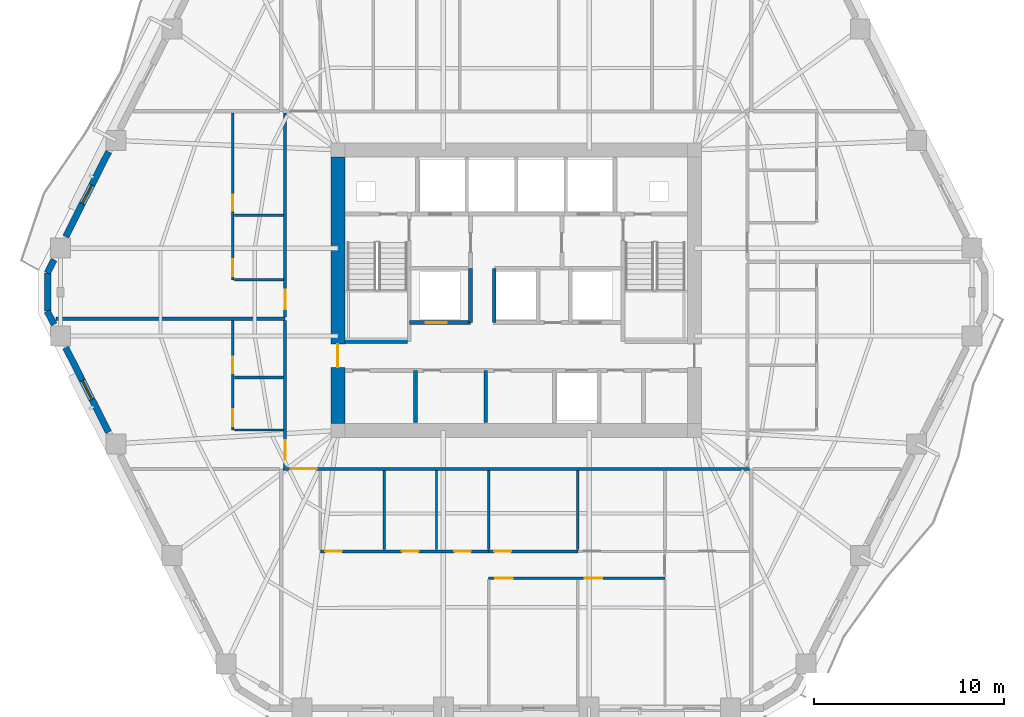
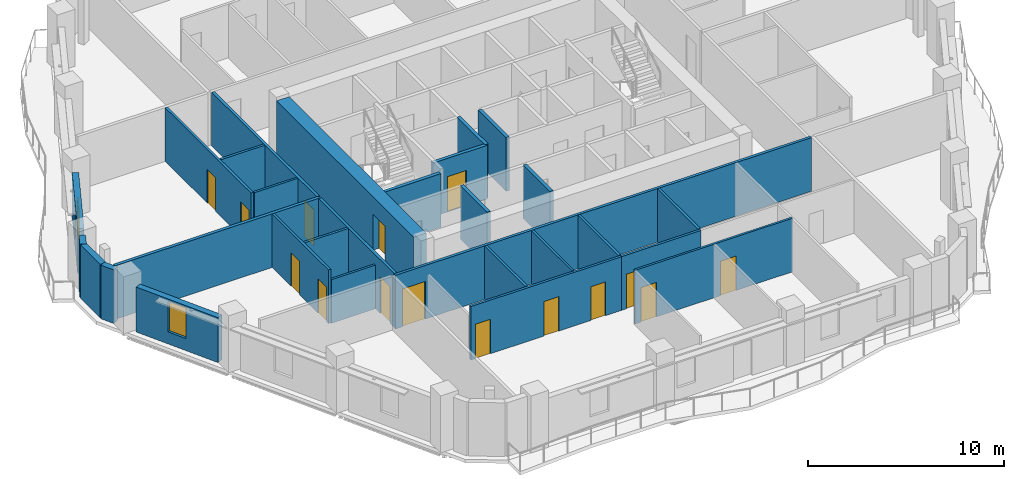
# One storey, part 4 of 12: 29 walls, 15 doors, 2 windows, 17 openings.
"""IFC4 building model written with IfcOpenShell, lengths in metres."""

from ifc_helpers import new_model, si_unit, direction, frame, frame_2d, origin, place, context, subcontext, project, spatial, rectangle, extrude, material, layer, layer_set, type_object, element, fill, save


model = new_model("IFC4")

# Units and contexts
model_context = context("Model", 3, precision=1e-05, world=origin(), true_north=direction((0.0, 1.0)))
body_context = subcontext(model_context, "Body", "Model", "MODEL_VIEW")
ifc_project = project(units=[si_unit("LENGTHUNIT", "METRE"), si_unit("AREAUNIT", "SQUARE_METRE"), si_unit("VOLUMEUNIT", "CUBIC_METRE"), si_unit("PLANEANGLEUNIT", "RADIAN"), si_unit("MASSUNIT", "GRAM", prefix="KILO")], contexts=[model_context])

# Site, building, storey
site_placement = place(None, origin())
site = spatial("IfcSite", under=ifc_project, at=site_placement, CompositionType="ELEMENT")
building_placement = place(site_placement, origin())
building = spatial("IfcBuilding", under=site, at=building_placement, Name="Cinnabar Lancet Tower", CompositionType="ELEMENT")
storey_placement = place(building_placement, frame((0.0, 0.0, 141.0)))
storey = spatial("IfcBuildingStorey", under=building, at=storey_placement, Name="L37", CompositionType="ELEMENT", Elevation=141.0)

# Wall, opening, door
ifc_material_1 = material(Name="Acoustic twin-stud gypsum partition", Category="gypsum")
ifc_layer_1 = layer(ifc_material_1, 0.159912109375)
ifc_layer_set_1 = layer_set([ifc_layer_1], Name="Acoustic twin-stud gypsum partition")
wall_type_1 = type_object("IfcWallType", Name="ARC-WL-CORR-160", PredefinedType="PARTITIONING", material=ifc_layer_set_1)
wall_1_placement = place(storey_placement, frame((20.14501953125, 16.5, 0.0), z_axis=(0.0, 0.0, 1.0), x_axis=(1.0, 0.0, 0.0)))
wall_1 = element("IfcWall", 1, at=wall_1_placement, inside=storey, type_object=wall_type_1, Name="L37 Unit S01 Corridor Wall", PredefinedType="PARTITIONING", context=body_context, shape_type="SweptSolid", body=[
    extrude(rectangle(XDim=24.510009765625, YDim=0.159912109375, at=frame_2d((12.2548828125, 0.0))), origin(), (0.0, 0.0, 1.0), 3.340087890625),
])
opening_1_placement = place(wall_1_placement, frame((0.405029296875, 0.0, 0.0)))
opening_1 = element("IfcOpeningElement", 2, at=opening_1_placement, cuts=wall_1, Name="Opening UD-02", PredefinedType="OPENING", context=body_context, shape_type="SweptSolid", body=[
    extrude(rectangle(XDim=1.35009765625, YDim=2.35009765625, at=frame_2d((0.675048828125, 1.175048828125))), frame((0.0, 0.08984375, 0.0), z_axis=(0.0, -1.0, 0.0), x_axis=(1.0, 0.0, 0.0)), (0.0, 0.0, 1.0), 0.179931640625),
])
ifc_material_2 = material(Name="Double-leaf solid timber penthouse entrance door", Category="wood")
door_type_1 = type_object("IfcDoorType", Name="ARC-DR-UNIT-PH", OperationType="NOTDEFINED", PredefinedType="DOOR", material=ifc_material_2)
door_1_placement = place(opening_1_placement, origin())
door_1 = element("IfcDoor", 3, at=door_1_placement, inside=storey, type_object=door_type_1, Name="DR-L37-S01-ENT", OperationType="SINGLE_SWING_RIGHT", OverallHeight=2.35009765625, OverallWidth=1.35009765625, PredefinedType="DOOR", context=body_context, shape_type="SweptSolid", body=[
    extrude(rectangle(XDim=1.35009765625, YDim=2.35009765625, at=frame_2d((0.675048828125, 1.175048828125))), frame((0.0, 0.02490234375, 0.0), z_axis=(0.0, -1.0, 0.0), x_axis=(1.0, 0.0, 0.0)), (0.0, 0.0, 1.0), 0.050048828125),
])
fill(opening_1, door_1)

wall_2_placement = place(storey_placement, frame((20.25, 16.594970703125, 0.0), z_axis=(0.0, 0.0, 1.0), x_axis=(0.0, 1.0, 0.0)))
wall_2 = element("IfcWall", 4, at=wall_2_placement, inside=storey, type_object=wall_type_1, Name="UW-L37-W01-COR", PredefinedType="PARTITIONING", context=body_context, shape_type="SweptSolid", body=[
    extrude(rectangle(XDim=7.7060546875, YDim=0.159912109375, at=frame_2d((3.85302734375, 0.0))), origin(), (0.0, 0.0, 1.0), 3.340087890625),
])
opening_2_placement = place(wall_2_placement, frame((0.39990234375, 0.0, 0.0)))
opening_2 = element("IfcOpeningElement", 5, at=opening_2_placement, cuts=wall_2, Name="Opening UD-01", PredefinedType="OPENING", context=body_context, shape_type="SweptSolid", body=[
    extrude(rectangle(XDim=1.02001953125, YDim=2.25, at=frame_2d((0.510009765625, 1.125))), frame((0.0, 0.08984375, 0.0), z_axis=(0.0, -1.0, 0.0), x_axis=(1.0, 0.0, 0.0)), (0.0, 0.0, 1.0), 0.179931640625),
])
ifc_material_3 = material(Name="Solid timber fire-rated apartment entrance door", Category="wood")
door_type_2 = type_object("IfcDoorType", Name="ARC-DR-UNIT", OperationType="NOTDEFINED", PredefinedType="DOOR", material=ifc_material_3)
door_2_placement = place(opening_2_placement, origin())
door_2 = element("IfcDoor", 6, at=door_2_placement, inside=storey, type_object=door_type_2, Name="DR-L37-W01-ENT", OperationType="SINGLE_SWING_RIGHT", OverallHeight=2.25, OverallWidth=1.02001953125, PredefinedType="DOOR", context=body_context, shape_type="SweptSolid", body=[
    extrude(rectangle(XDim=1.02001953125, YDim=2.25, at=frame_2d((0.510009765625, 1.125))), frame((0.0, 0.02490234375, 0.0), z_axis=(0.0, -1.0, 0.0), x_axis=(1.0, 0.0, 0.0)), (0.0, 0.0, 1.0), 0.050048828125),
])
fill(opening_2, door_2)

wall_3_placement = place(storey_placement, frame((20.25, 24.490966796875, 0.0), z_axis=(0.0, 0.0, 1.0), x_axis=(0.0, 1.0, 0.0)))
wall_3 = element("IfcWall", 7, at=wall_3_placement, inside=storey, type_object=wall_type_1, Name="UW-L37-W02-COR", PredefinedType="PARTITIONING", context=body_context, shape_type="SweptSolid", body=[
    extrude(rectangle(XDim=10.714111328125, YDim=0.159912109375, at=frame_2d((5.35693359375, 0.0))), origin(), (0.0, 0.0, 1.0), 3.340087890625),
])
opening_3_placement = place(wall_3_placement, frame((0.39990234375, 0.0, 0.0)))
opening_3 = element("IfcOpeningElement", 8, at=opening_3_placement, cuts=wall_3, Name="Opening UD-01", PredefinedType="OPENING", context=body_context, shape_type="SweptSolid", body=[
    extrude(rectangle(XDim=1.02001953125, YDim=2.25, at=frame_2d((0.510009765625, 1.125))), frame((0.0, 0.08984375, 0.0), z_axis=(0.0, -1.0, 0.0), x_axis=(1.0, 0.0, 0.0)), (0.0, 0.0, 1.0), 0.179931640625),
])
door_3_placement = place(opening_3_placement, origin())
door_3 = element("IfcDoor", 9, at=door_3_placement, inside=storey, type_object=door_type_2, Name="DR-L37-W02-ENT", OperationType="SINGLE_SWING_LEFT", OverallHeight=2.25, OverallWidth=1.02001953125, PredefinedType="DOOR", context=body_context, shape_type="SweptSolid", body=[
    extrude(rectangle(XDim=1.02001953125, YDim=2.25, at=frame_2d((0.510009765625, 1.125))), frame((0.0, 0.02490234375, 0.0), z_axis=(0.0, -1.0, 0.0), x_axis=(1.0, 0.0, 0.0)), (0.0, 0.0, 1.0), 0.050048828125),
])
fill(opening_3, door_3)

# Walls
ifc_material_4 = material(Name="Fire-rated twin-frame acoustic drywall", Category="gypsum")
ifc_layer_2 = layer(ifc_material_4, 0.179931640625)
ifc_layer_set_2 = layer_set([ifc_layer_2], Name="Fire-rated twin-frame acoustic drywall")
wall_type_2 = type_object("IfcWallType", Name="ARC-WL-PARTY-180", PredefinedType="PARTITIONING", material=ifc_layer_set_2)
wall_4_placement = place(storey_placement, frame((8.18994140625, 24.39599609375, 0.0), z_axis=(0.0, 0.0, 1.0), x_axis=(1.0, 0.0, 0.0)))
element("IfcWall", 10, at=wall_4_placement, inside=storey, type_object=wall_type_2, Name="PW-L37-WPTY-1", PredefinedType="PARTITIONING", context=body_context, shape_type="SweptSolid", body=[
    extrude(rectangle(XDim=12.06005859375, YDim=0.179931640625, at=frame_2d((6.030029296875, 0.0))), origin(), (0.0, 0.0, 1.0), 3.340087890625),
])
ifc_material_5 = material(Name="Autoclaved aerated concrete blockwork", Category="masonry")
ifc_layer_3 = layer(ifc_material_5, 0.199951171875)
ifc_layer_set_3 = layer_set([ifc_layer_3], Name="Autoclaved aerated concrete blockwork")
wall_type_3 = type_object("IfcWallType", Name="ARC-WL-SHAFT-200", PredefinedType="PLUMBINGWALL", material=ifc_layer_set_3)
wall_5_placement = place(storey_placement, frame((23.405029296875, 23.199951171875, 0.0), z_axis=(0.0, 0.0, 1.0), x_axis=(1.0, 0.0, 0.0)))
element("IfcWall", 11, at=wall_5_placement, inside=storey, type_object=wall_type_3, Name="CW-ST1S-L37", PredefinedType="PLUMBINGWALL", context=body_context, shape_type="SweptSolid", body=[
    extrude(rectangle(XDim=3.27001953125, YDim=0.199951171875, at=frame_2d((1.635009765625, 0.0))), origin(), (0.0, 0.0, 1.0), 3.340087890625),
])

# Wall, opening, door
wall_6_placement = place(storey_placement, frame((26.800048828125, 24.199951171875, 0.0), z_axis=(0.0, 0.0, 1.0), x_axis=(1.0, 0.0, 0.0)))
wall_6 = element("IfcWall", 12, at=wall_6_placement, inside=storey, type_object=wall_type_3, Name="CW-PL5S-L37", PredefinedType="PLUMBINGWALL", context=body_context, shape_type="SweptSolid", body=[
    extrude(rectangle(XDim=3.199951171875, YDim=0.199951171875, at=frame_2d((1.60009765625, 0.0))), origin(), (0.0, 0.0, 1.0), 3.340087890625),
])
opening_4_placement = place(wall_6_placement, frame((0.85009765625, 0.0, 0.0)))
opening_4 = element("IfcOpeningElement", 13, at=opening_4_placement, cuts=wall_6, Name="Opening LD-01", PredefinedType="OPENING", context=body_context, shape_type="SweptSolid", body=[
    extrude(rectangle(XDim=1.10009765625, YDim=2.199951171875, at=frame_2d((0.550048828125, 1.10009765625))), frame((0.0, 0.10986328125, 0.0), z_axis=(0.0, -1.0, 0.0), x_axis=(1.0, 0.0, 0.0)), (0.0, 0.0, 1.0), 0.219970703125),
])
ifc_material_6 = material(Name="Brushed stainless steel sliding lift door", Category="steel")
door_type_3 = type_object("IfcDoorType", Name="ARC-DR-LD-PASS", OperationType="NOTDEFINED", PredefinedType="DOOR", material=ifc_material_6)
door_4_placement = place(opening_4_placement, origin())
door_4 = element("IfcDoor", 14, at=door_4_placement, inside=storey, type_object=door_type_3, Name="L37 Lift PL-5 Landing Door", OperationType="DOUBLE_DOOR_SLIDING", OverallHeight=2.199951171875, OverallWidth=1.10009765625, PredefinedType="DOOR", context=body_context, shape_type="SweptSolid", body=[
    extrude(rectangle(XDim=1.10009765625, YDim=2.199951171875, at=frame_2d((0.550048828125, 1.10009765625))), frame((0.0, 0.02490234375, 0.0), z_axis=(0.0, -1.0, 0.0), x_axis=(1.0, 0.0, 0.0)), (0.0, 0.0, 1.0), 0.050048828125),
])
fill(opening_4, door_4)

# Walls
for number, where, z_axis, x_axis, name in (
    (15, (30.0, 24.199951171875, 0.0), (0.0, 0.0, 1.0), (0.0, 1.0, 0.0), "CW-PL5E-L37"),
    (16, (31.25, 24.199951171875, 0.0), (0.0, 0.0, 1.0), (0.0, 1.0, 0.0), "CW-PL9W-L37"),
):
    element("IfcWall", number, at=place(storey_placement, frame(where, z_axis=z_axis, x_axis=x_axis)), inside=storey, type_object=wall_type_3, Name=name, PredefinedType="PLUMBINGWALL", context=body_context, shape_type="SweptSolid", body=[
        extrude(rectangle(XDim=2.85009765625, YDim=0.199951171875, at=frame_2d((1.425048828125, 0.0))), origin(), (0.0, 0.0, 1.0), 3.340087890625),
    ])
for number, where, z_axis, x_axis, name in (
    (17, (27.10009765625, 18.949951171875, 0.0), (0.0, 0.0, 1.0), (0.0, 1.0, 0.0), "CW-SB-2710-L37"),
    (18, (30.800048828125, 18.949951171875, 0.0), (0.0, 0.0, 1.0), (0.0, 1.0, 0.0), "CW-SB-3080-L37"),
):
    element("IfcWall", number, at=place(storey_placement, frame(where, z_axis=z_axis, x_axis=x_axis)), inside=storey, type_object=wall_type_3, Name=name, PredefinedType="PLUMBINGWALL", context=body_context, shape_type="SweptSolid", body=[
        extrude(rectangle(XDim=2.72998046875, YDim=0.199951171875, at=frame_2d((1.364990234375, 0.0))), origin(), (0.0, 0.0, 1.0), 3.340087890625),
    ])
ifc_material_7 = material(Name="Gypsum plasterboard stud partition", Category="gypsum")
ifc_layer_4 = layer(ifc_material_7, 0.125)
ifc_layer_set_4 = layer_set([ifc_layer_4], Name="Gypsum plasterboard stud partition")
wall_type_4 = type_object("IfcWallType", Name="ARC-WL-UNIT-125", PredefinedType="PARTITIONING", material=ifc_layer_set_4)
wall_7_placement = place(storey_placement, frame((28.2060546875, 12.26708984375, 0.0), z_axis=(0.0, 0.0, 1.0), x_axis=(0.0, 1.0, 0.0)))
element("IfcWall", 19, at=wall_7_placement, inside=storey, type_object=wall_type_4, Name="UW-L37-S01-STD", PredefinedType="PARTITIONING", context=body_context, shape_type="SweptSolid", body=[
    extrude(rectangle(XDim=4.14794921875, YDim=0.125, at=frame_2d((2.073974609375, 0.0))), origin(), (0.0, 0.0, 1.0), 3.340087890625),
])

# Wall, openings, doors
wall_8_placement = place(storey_placement, frame((30.949951171875, 10.761962890625, 0.0), z_axis=(0.0, 0.0, 1.0), x_axis=(1.0, 0.0, 0.0)))
wall_8 = element("IfcWall", 20, at=wall_8_placement, inside=storey, type_object=wall_type_4, Name="UW-L37-S01-HLN", PredefinedType="PARTITIONING", context=body_context, shape_type="SweptSolid", body=[
    extrude(rectangle(XDim=9.27001953125, YDim=0.125, at=frame_2d((4.635009765625, 0.0))), origin(), (0.0, 0.0, 1.0), 3.340087890625),
])
opening_5_placement = place(wall_8_placement, frame((0.35009765625, 0.0, 0.0)))
opening_5 = element("IfcOpeningElement", 21, at=opening_5_placement, cuts=wall_8, Name="Opening RD-01", PredefinedType="OPENING", context=body_context, shape_type="SweptSolid", body=[
    extrude(rectangle(XDim=0.919921875, YDim=2.14990234375, at=frame_2d((0.4599609375, 1.074951171875))), frame((0.0, 0.072509765625, 0.0), z_axis=(0.0, -1.0, 0.0), x_axis=(1.0, 0.0, 0.0)), (0.0, 0.0, 1.0), 0.14501953125),
])
opening_6_placement = place(wall_8_placement, frame((5.0419921875, 0.0, 0.0)))
opening_6 = element("IfcOpeningElement", 22, at=opening_6_placement, cuts=wall_8, Name="Opening RD-01", PredefinedType="OPENING", context=body_context, shape_type="SweptSolid", body=[
    extrude(rectangle(XDim=0.919921875, YDim=2.14990234375, at=frame_2d((0.4599609375, 1.074951171875))), frame((0.0, 0.072509765625, 0.0), z_axis=(0.0, -1.0, 0.0), x_axis=(1.0, 0.0, 0.0)), (0.0, 0.0, 1.0), 0.14501953125),
])
ifc_material_8 = material(Name="Engineered timber bedroom door", Category="wood")
door_type_4 = type_object("IfcDoorType", Name="ARC-DR-ROOM", OperationType="NOTDEFINED", PredefinedType="DOOR", material=ifc_material_8)
door_5_placement = place(opening_5_placement, origin())
door_5 = element("IfcDoor", 23, at=door_5_placement, inside=storey, type_object=door_type_4, Name="DR-L37-S01-BD2", OperationType="SINGLE_SWING_LEFT", OverallHeight=2.14990234375, OverallWidth=0.919921875, PredefinedType="DOOR", context=body_context, shape_type="SweptSolid", body=[
    extrude(rectangle(XDim=0.919921875, YDim=2.14990234375, at=frame_2d((0.4599609375, 1.074951171875))), frame((0.0, 0.02490234375, 0.0), z_axis=(0.0, -1.0, 0.0), x_axis=(1.0, 0.0, 0.0)), (0.0, 0.0, 1.0), 0.050048828125),
])
fill(opening_5, door_5)
door_6_placement = place(opening_6_placement, origin())
door_6 = element("IfcDoor", 24, at=door_6_placement, inside=storey, type_object=door_type_4, Name="DR-L37-S01-BD3", OperationType="SINGLE_SWING_RIGHT", OverallHeight=2.14990234375, OverallWidth=0.919921875, PredefinedType="DOOR", context=body_context, shape_type="SweptSolid", body=[
    extrude(rectangle(XDim=0.919921875, YDim=2.14990234375, at=frame_2d((0.4599609375, 1.074951171875))), frame((0.0, 0.02490234375, 0.0), z_axis=(0.0, -1.0, 0.0), x_axis=(1.0, 0.0, 0.0)), (0.0, 0.0, 1.0), 0.050048828125),
])
fill(opening_6, door_6)

# Walls
wall_9_placement = place(storey_placement, frame((17.5849609375, 18.550048828125, 0.0), z_axis=(0.0, 0.0, 1.0), x_axis=(1.0, 0.0, 0.0)))
element("IfcWall", 25, at=wall_9_placement, inside=storey, type_object=wall_type_4, Name="UW-L37-W01-FOYN", PredefinedType="PARTITIONING", context=body_context, shape_type="SweptSolid", body=[
    extrude(rectangle(XDim=2.580078125, YDim=0.125, at=frame_2d((1.2900390625, 0.0))), origin(), (0.0, 0.0, 1.0), 2.721923828125),
])
wall_10_placement = place(storey_placement, frame((17.5849609375, 26.446044921875, 0.0), z_axis=(0.0, 0.0, 1.0), x_axis=(1.0, 0.0, 0.0)))
element("IfcWall", 26, at=wall_10_placement, inside=storey, type_object=wall_type_4, Name="UW-L37-W02-FOYN", PredefinedType="PARTITIONING", context=body_context, shape_type="SweptSolid", body=[
    extrude(rectangle(XDim=2.580078125, YDim=0.125, at=frame_2d((1.2900390625, 0.0))), origin(), (0.0, 0.0, 1.0), 3.340087890625),
])

# Wall, openings, doors
ifc_material_9 = material(Name="Moisture-resistant cement-board plumbing wall", Category="masonry")
ifc_layer_5 = layer(ifc_material_9, 0.139892578125)
ifc_layer_set_5 = layer_set([ifc_layer_5], Name="Moisture-resistant cement-board plumbing wall")
wall_type_5 = type_object("IfcWallType", Name="ARC-WL-WET-140", PredefinedType="PLUMBINGWALL", material=ifc_layer_set_5)
wall_11_placement = place(storey_placement, frame((22.10009765625, 12.162109375, 0.0), z_axis=(0.0, 0.0, 1.0), x_axis=(1.0, 0.0, 0.0)))
wall_11 = element("IfcWall", 27, at=wall_11_placement, inside=storey, type_object=wall_type_5, Name="UW-L37-S01-SPL", PredefinedType="PLUMBINGWALL", context=body_context, shape_type="SweptSolid", body=[
    extrude(rectangle(XDim=8.849853515625, YDim=0.139892578125, at=frame_2d((4.4248046875, 0.0))), origin(), (0.0, 0.0, 1.0), 3.340087890625),
])
opening_7_placement = place(wall_11_placement, frame((7.052978515625, 0.0, 0.0)))
opening_7 = element("IfcOpeningElement", 28, at=opening_7_placement, cuts=wall_11, Name="Opening BD-01", PredefinedType="OPENING", context=body_context, shape_type="SweptSolid", body=[
    extrude(rectangle(XDim=0.860107421875, YDim=2.10009765625, at=frame_2d((0.43017578125, 1.050048828125))), frame((0.0, 0.079833984375, 0.0), z_axis=(0.0, -1.0, 0.0), x_axis=(1.0, 0.0, 0.0)), (0.0, 0.0, 1.0), 0.159912109375),
])
opening_8_placement = place(wall_11_placement, frame((0.260009765625, 0.0, 0.0)))
opening_8 = element("IfcOpeningElement", 29, at=opening_8_placement, cuts=wall_11, Name="Opening RD-02", PredefinedType="OPENING", context=body_context, shape_type="SweptSolid", body=[
    extrude(rectangle(XDim=0.8798828125, YDim=2.14990234375, at=frame_2d((0.43994140625, 1.074951171875))), frame((0.0, 0.079833984375, 0.0), z_axis=(0.0, -1.0, 0.0), x_axis=(1.0, 0.0, 0.0)), (0.0, 0.0, 1.0), 0.159912109375),
])
opening_9_placement = place(wall_11_placement, frame((4.2939453125, 0.0, 0.0)))
opening_9 = element("IfcOpeningElement", 30, at=opening_9_placement, cuts=wall_11, Name="Opening RD-02", PredefinedType="OPENING", context=body_context, shape_type="SweptSolid", body=[
    extrude(rectangle(XDim=0.8798828125, YDim=2.14990234375, at=frame_2d((0.43994140625, 1.074951171875))), frame((0.0, 0.079833984375, 0.0), z_axis=(0.0, -1.0, 0.0), x_axis=(1.0, 0.0, 0.0)), (0.0, 0.0, 1.0), 0.159912109375),
])
ifc_material_10 = material(Name="Moisture-resistant timber bathroom door", Category="wood")
door_type_5 = type_object("IfcDoorType", Name="ARC-DR-BATH", OperationType="NOTDEFINED", PredefinedType="DOOR", material=ifc_material_10)
door_7_placement = place(opening_7_placement, origin())
door_7 = element("IfcDoor", 31, at=door_7_placement, inside=storey, type_object=door_type_5, Name="DR-L37-S01-BTH", OperationType="SINGLE_SWING_LEFT", OverallHeight=2.10009765625, OverallWidth=0.860107421875, PredefinedType="DOOR", context=body_context, shape_type="SweptSolid", body=[
    extrude(rectangle(XDim=0.860107421875, YDim=2.10009765625, at=frame_2d((0.43017578125, 1.050048828125))), frame((0.0, 0.02490234375, 0.0), z_axis=(0.0, -1.0, 0.0), x_axis=(1.0, 0.0, 0.0)), (0.0, 0.0, 1.0), 0.050048828125),
])
fill(opening_7, door_7)
ifc_material_11 = material(Name="Engineered timber study door", Category="wood")
door_type_6 = type_object("IfcDoorType", Name="ARC-DR-STUDY", OperationType="NOTDEFINED", PredefinedType="DOOR", material=ifc_material_11)
door_8_placement = place(opening_8_placement, origin())
door_8 = element("IfcDoor", 32, at=door_8_placement, inside=storey, type_object=door_type_6, Name="DR-L37-S01-KIT", OperationType="SINGLE_SWING_LEFT", OverallHeight=2.14990234375, OverallWidth=0.8798828125, PredefinedType="DOOR", context=body_context, shape_type="SweptSolid", body=[
    extrude(rectangle(XDim=0.8798828125, YDim=2.14990234375, at=frame_2d((0.43994140625, 1.074951171875))), frame((0.0, 0.02490234375, 0.0), z_axis=(0.0, -1.0, 0.0), x_axis=(1.0, 0.0, 0.0)), (0.0, 0.0, 1.0), 0.050048828125),
])
fill(opening_8, door_8)
door_9_placement = place(opening_9_placement, origin())
door_9 = element("IfcDoor", 33, at=door_9_placement, inside=storey, type_object=door_type_6, Name="DR-L37-S01-STD", OperationType="SINGLE_SWING_RIGHT", OverallHeight=2.14990234375, OverallWidth=0.8798828125, PredefinedType="DOOR", context=body_context, shape_type="SweptSolid", body=[
    extrude(rectangle(XDim=0.8798828125, YDim=2.14990234375, at=frame_2d((0.43994140625, 1.074951171875))), frame((0.0, 0.02490234375, 0.0), z_axis=(0.0, -1.0, 0.0), x_axis=(1.0, 0.0, 0.0)), (0.0, 0.0, 1.0), 0.050048828125),
])
fill(opening_9, door_9)

# Wall, opening, door
wall_12_placement = place(storey_placement, frame((30.949951171875, 12.162109375, 0.0), z_axis=(0.0, 0.0, 1.0), x_axis=(1.0, 0.0, 0.0)))
wall_12 = element("IfcWall", 34, at=wall_12_placement, inside=storey, type_object=wall_type_5, Name="UW-L37-S01-SPM", PredefinedType="PLUMBINGWALL", context=body_context, shape_type="SweptSolid", body=[
    extrude(rectangle(XDim=4.692138671875, YDim=0.139892578125, at=frame_2d((2.34619140625, 0.0))), origin(), (0.0, 0.0, 1.0), 3.340087890625),
])
opening_10_placement = place(wall_12_placement, frame((0.300048828125, 0.0, 0.0)))
opening_10 = element("IfcOpeningElement", 35, at=opening_10_placement, cuts=wall_12, Name="Opening RD-02", PredefinedType="OPENING", context=body_context, shape_type="SweptSolid", body=[
    extrude(rectangle(XDim=0.8798828125, YDim=2.14990234375, at=frame_2d((0.43994140625, 1.074951171875))), frame((0.0, 0.079833984375, 0.0), z_axis=(0.0, -1.0, 0.0), x_axis=(1.0, 0.0, 0.0)), (0.0, 0.0, 1.0), 0.159912109375),
])
door_10_placement = place(opening_10_placement, origin())
door_10 = element("IfcDoor", 36, at=door_10_placement, inside=storey, type_object=door_type_6, Name="DR-L37-S01-UTL", OperationType="SINGLE_SWING_RIGHT", OverallHeight=2.14990234375, OverallWidth=0.8798828125, PredefinedType="DOOR", context=body_context, shape_type="SweptSolid", body=[
    extrude(rectangle(XDim=0.8798828125, YDim=2.14990234375, at=frame_2d((0.43994140625, 1.074951171875))), frame((0.0, 0.02490234375, 0.0), z_axis=(0.0, -1.0, 0.0), x_axis=(1.0, 0.0, 0.0)), (0.0, 0.0, 1.0), 0.050048828125),
])
fill(opening_10, door_10)

# Walls
for number, where, z_axis, x_axis, name in (
    (37, (25.462890625, 12.26708984375, 0.0), (0.0, 0.0, 1.0), (0.0, 1.0, 0.0), "UW-L37-S01-KDV"),
    (38, (30.949951171875, 12.26708984375, 0.0), (0.0, 0.0, 1.0), (0.0, 1.0, 0.0), "UW-L37-S01-ENSW"),
    (39, (35.64208984375, 12.26708984375, 0.0), (0.0, 0.0, 1.0), (0.0, 1.0, 0.0), "UW-L37-S01-ENSE"),
):
    element("IfcWall", number, at=place(storey_placement, frame(where, z_axis=z_axis, x_axis=x_axis)), inside=storey, type_object=wall_type_5, Name=name, PredefinedType="PLUMBINGWALL", context=body_context, shape_type="SweptSolid", body=[
        extrude(rectangle(XDim=4.14794921875, YDim=0.139892578125, at=frame_2d((2.073974609375, 0.0))), origin(), (0.0, 0.0, 1.0), 3.340087890625),
    ])

# Wall, openings, doors
wall_13_placement = place(storey_placement, frame((17.5, 18.550048828125, 0.0), z_axis=(0.0, 0.0, 1.0), x_axis=(0.0, 1.0, 0.0)))
wall_13 = element("IfcWall", 40, at=wall_13_placement, inside=storey, type_object=wall_type_5, Name="UW-L37-W01-SPL", PredefinedType="PLUMBINGWALL", context=body_context, shape_type="SweptSolid", body=[
    extrude(rectangle(XDim=5.7509765625, YDim=0.139892578125, at=frame_2d((2.87548828125, 0.0))), origin(), (0.0, 0.0, 1.0), 3.340087890625),
])
opening_11_placement = place(wall_13_placement, frame((2.97998046875, 0.0, 0.0)))
opening_11 = element("IfcOpeningElement", 41, at=opening_11_placement, cuts=wall_13, Name="Opening BD-01", PredefinedType="OPENING", context=body_context, shape_type="SweptSolid", body=[
    extrude(rectangle(XDim=0.860107421875, YDim=2.10009765625, at=frame_2d((0.43017578125, 1.050048828125))), frame((0.0, 0.079833984375, 0.0), z_axis=(0.0, -1.0, 0.0), x_axis=(1.0, 0.0, 0.0)), (0.0, 0.0, 1.0), 0.159912109375),
])
opening_12_placement = place(wall_13_placement, frame((0.199951171875, 0.0, 0.0)))
opening_12 = element("IfcOpeningElement", 42, at=opening_12_placement, cuts=wall_13, Name="Opening RD-02", PredefinedType="OPENING", context=body_context, shape_type="SweptSolid", body=[
    extrude(rectangle(XDim=0.8798828125, YDim=2.14990234375, at=frame_2d((0.43994140625, 1.074951171875))), frame((0.0, 0.079833984375, 0.0), z_axis=(0.0, -1.0, 0.0), x_axis=(1.0, 0.0, 0.0)), (0.0, 0.0, 1.0), 0.159912109375),
])
door_11_placement = place(opening_11_placement, origin())
door_11 = element("IfcDoor", 43, at=door_11_placement, inside=storey, type_object=door_type_5, Name="DR-L37-W01-BTH", OperationType="SINGLE_SWING_RIGHT", OverallHeight=2.10009765625, OverallWidth=0.860107421875, PredefinedType="DOOR", context=body_context, shape_type="SweptSolid", body=[
    extrude(rectangle(XDim=0.860107421875, YDim=2.10009765625, at=frame_2d((0.43017578125, 1.050048828125))), frame((0.0, 0.02490234375, 0.0), z_axis=(0.0, -1.0, 0.0), x_axis=(1.0, 0.0, 0.0)), (0.0, 0.0, 1.0), 0.050048828125),
])
fill(opening_11, door_11)
door_12_placement = place(opening_12_placement, origin())
door_12 = element("IfcDoor", 44, at=door_12_placement, inside=storey, type_object=door_type_6, Name="DR-L37-W01-KIT", OperationType="SINGLE_SWING_LEFT", OverallHeight=2.14990234375, OverallWidth=0.8798828125, PredefinedType="DOOR", context=body_context, shape_type="SweptSolid", body=[
    extrude(rectangle(XDim=0.8798828125, YDim=2.14990234375, at=frame_2d((0.43994140625, 1.074951171875))), frame((0.0, 0.02490234375, 0.0), z_axis=(0.0, -1.0, 0.0), x_axis=(1.0, 0.0, 0.0)), (0.0, 0.0, 1.0), 0.050048828125),
])
fill(opening_12, door_12)

# Wall
wall_14_placement = place(storey_placement, frame((17.5849609375, 21.31005859375, 0.0), z_axis=(0.0, 0.0, 1.0), x_axis=(1.0, 0.0, 0.0)))
element("IfcWall", 45, at=wall_14_placement, inside=storey, type_object=wall_type_5, Name="UW-L37-W01-KDV", PredefinedType="PLUMBINGWALL", context=body_context, shape_type="SweptSolid", body=[
    extrude(rectangle(XDim=2.580078125, YDim=0.139892578125, at=frame_2d((1.2900390625, 0.0))), origin(), (0.0, 0.0, 1.0), 3.340087890625),
])

# Wall, openings, doors
wall_15_placement = place(storey_placement, frame((17.5, 26.446044921875, 0.0), z_axis=(0.0, 0.0, 1.0), x_axis=(0.0, 1.0, 0.0)))
wall_15 = element("IfcWall", 46, at=wall_15_placement, inside=storey, type_object=wall_type_5, Name="UW-L37-W02-SPL", PredefinedType="PLUMBINGWALL", context=body_context, shape_type="SweptSolid", body=[
    extrude(rectangle(XDim=8.759033203125, YDim=0.139892578125, at=frame_2d((4.37939453125, 0.0))), origin(), (0.0, 0.0, 1.0), 3.340087890625),
])
opening_13_placement = place(wall_15_placement, frame((3.6201171875, 0.0, 0.0)))
opening_13 = element("IfcOpeningElement", 47, at=opening_13_placement, cuts=wall_15, Name="Opening BD-01", PredefinedType="OPENING", context=body_context, shape_type="SweptSolid", body=[
    extrude(rectangle(XDim=0.860107421875, YDim=2.10009765625, at=frame_2d((0.43017578125, 1.050048828125))), frame((0.0, 0.079833984375, 0.0), z_axis=(0.0, -1.0, 0.0), x_axis=(1.0, 0.0, 0.0)), (0.0, 0.0, 1.0), 0.159912109375),
])
opening_14_placement = place(wall_15_placement, frame((0.199951171875, 0.0, 0.0)))
opening_14 = element("IfcOpeningElement", 48, at=opening_14_placement, cuts=wall_15, Name="Opening RD-02", PredefinedType="OPENING", context=body_context, shape_type="SweptSolid", body=[
    extrude(rectangle(XDim=0.8798828125, YDim=2.14990234375, at=frame_2d((0.43994140625, 1.074951171875))), frame((0.0, 0.079833984375, 0.0), z_axis=(0.0, -1.0, 0.0), x_axis=(1.0, 0.0, 0.0)), (0.0, 0.0, 1.0), 0.159912109375),
])
door_13_placement = place(opening_13_placement, origin())
door_13 = element("IfcDoor", 49, at=door_13_placement, inside=storey, type_object=door_type_5, Name="DR-L37-W02-BTH", OperationType="SINGLE_SWING_LEFT", OverallHeight=2.10009765625, OverallWidth=0.860107421875, PredefinedType="DOOR", context=body_context, shape_type="SweptSolid", body=[
    extrude(rectangle(XDim=0.860107421875, YDim=2.10009765625, at=frame_2d((0.43017578125, 1.050048828125))), frame((0.0, 0.02490234375, 0.0), z_axis=(0.0, -1.0, 0.0), x_axis=(1.0, 0.0, 0.0)), (0.0, 0.0, 1.0), 0.050048828125),
])
fill(opening_13, door_13)
door_14_placement = place(opening_14_placement, origin())
door_14 = element("IfcDoor", 50, at=door_14_placement, inside=storey, type_object=door_type_6, Name="DR-L37-W02-KIT", OperationType="SINGLE_SWING_RIGHT", OverallHeight=2.14990234375, OverallWidth=0.8798828125, PredefinedType="DOOR", context=body_context, shape_type="SweptSolid", body=[
    extrude(rectangle(XDim=0.8798828125, YDim=2.14990234375, at=frame_2d((0.43994140625, 1.074951171875))), frame((0.0, 0.02490234375, 0.0), z_axis=(0.0, -1.0, 0.0), x_axis=(1.0, 0.0, 0.0)), (0.0, 0.0, 1.0), 0.050048828125),
])
fill(opening_14, door_14)

# Walls
wall_16_placement = place(storey_placement, frame((17.5849609375, 29.845947265625, 0.0), z_axis=(0.0, 0.0, 1.0), x_axis=(1.0, 0.0, 0.0)))
element("IfcWall", 51, at=wall_16_placement, inside=storey, type_object=wall_type_5, Name="UW-L37-W02-KDV", PredefinedType="PLUMBINGWALL", context=body_context, shape_type="SweptSolid", body=[
    extrude(rectangle(XDim=2.580078125, YDim=0.139892578125, at=frame_2d((1.2900390625, 0.0))), origin(), (0.0, 0.0, 1.0), 3.340087890625),
])
ifc_material_12 = material(Name="Cinnabar red clay brick", Category="masonry")
ifc_layer_6 = layer(ifc_material_12, 0.340087890625)
ifc_layer_set_6 = layer_set([ifc_layer_6], Name="Cinnabar red clay brick")
wall_type_6 = type_object("IfcWallType", Name="ENV-WL-BRK-RED-340", PredefinedType="STANDARD", material=ifc_layer_set_6)
wall_17_placement = place(storey_placement, frame((7.76708984375, 26.797119140625, 0.0), z_axis=(0.0, 0.0, 1.0), x_axis=(0.0, -1.0, 0.0)))
element("IfcWall", 52, at=wall_17_placement, inside=storey, type_object=wall_type_6, Name="L37 Chamfered Corner Brick Pier 6.1", PredefinedType="STANDARD", context=body_context, shape_type="SweptSolid", body=[
    extrude(rectangle(XDim=1.994140625, YDim=0.340087890625, at=frame_2d((0.9970703125, 0.0))), origin(), (0.0, 0.0, 1.0), 3.340087890625),
])

# Wall, opening, window
wall_18_placement = place(storey_placement, frame((10.968017578125, 33.172119140625, 0.0), z_axis=(0.0, 0.0, 1.0), x_axis=(-0.451470533039, -0.892286029139, 0.0)))
wall_18 = element("IfcWall", 53, at=wall_18_placement, inside=storey, type_object=wall_type_6, Name="L37 Face 5 Masonry Bay Wall 4", PredefinedType="STANDARD", context=body_context, shape_type="SweptSolid", body=[
    extrude(rectangle(XDim=4.9951171875, YDim=0.340087890625, at=frame_2d((2.49755859375, 0.0))), origin(), (0.0, 0.0, 1.0), 2.797119140625),
])
opening_15_placement = place(wall_18_placement, frame((1.947021484375, 0.0, 0.75)))
opening_15 = element("IfcOpeningElement", 54, at=opening_15_placement, cuts=wall_18, Name="Opening WN-04", PredefinedType="OPENING", context=body_context, shape_type="SweptSolid", body=[
    extrude(rectangle(XDim=1.10009765625, YDim=1.89697265625, at=frame_2d((0.550048828125, 0.948486328125))), frame((0.0, 0.179931640625, 0.0), z_axis=(0.0, -1.0, 0.0), x_axis=(1.0, 0.0, 0.0)), (0.0, 0.0, 1.0), 0.360107421875),
])
ifc_material_13 = material(Name="Thermally broken bronze-anodized aluminium tall lancet window", Category="aluminium")
window_type = type_object("IfcWindowType", Name="ENV-WN-LANCET-1100", PartitioningType="SINGLE_PANEL", PredefinedType="WINDOW", material=ifc_material_13)
window_1_placement = place(opening_15_placement, origin())
window_1 = element("IfcWindow", 55, at=window_1_placement, inside=storey, type_object=window_type, Name="L37 Face 5 Gothic Lancet Window 4", OverallHeight=1.89697265625, OverallWidth=1.10009765625, PartitioningType="SINGLE_PANEL", PredefinedType="WINDOW", context=body_context, shape_type="SweptSolid", body=[
    extrude(rectangle(XDim=1.10009765625, YDim=1.89697265625, at=frame_2d((0.550048828125, 0.948486328125))), frame((0.0, 0.030029296875, 0.0), z_axis=(0.0, -1.0, 0.0), x_axis=(1.0, 0.0, 0.0)), (0.0, 0.0, 1.0), 0.06005859375),
])
fill(opening_15, window_1)

# Walls
for number, where, z_axis, x_axis, name in (
    (56, (8.10009765625, 27.5029296875, 0.0), (0.0, 0.0, 1.0), (-0.451819324107, -0.89210946546, 0.0), "L37 Face 5 Masonry Bay Wall 5"),
    (57, (7.74609375, 24.7958984375, 0.0), (0.0, 0.0, 1.0), (0.451819324107, -0.89210946546, 0.0), "L37 Face 6 Masonry Bay Wall 1"),
):
    element("IfcWall", number, at=place(storey_placement, frame(where, z_axis=z_axis, x_axis=x_axis)), inside=storey, type_object=wall_type_6, Name=name, PredefinedType="STANDARD", context=body_context, shape_type="SweptSolid", body=[
        extrude(rectangle(XDim=0.783447265625, YDim=0.340087890625, at=frame_2d((0.3916015625, 0.0))), origin(), (0.0, 0.0, 1.0), 3.340087890625),
    ])

# Wall, opening, window
wall_19_placement = place(storey_placement, frame((8.712890625, 22.885009765625, 0.0), z_axis=(0.0, 0.0, 1.0), x_axis=(0.451470533039, -0.892286029139, 0.0)))
wall_19 = element("IfcWall", 58, at=wall_19_placement, inside=storey, type_object=wall_type_6, Name="L37 Face 6 Masonry Bay Wall 2", PredefinedType="STANDARD", context=body_context, shape_type="SweptSolid", body=[
    extrude(rectangle(XDim=4.9951171875, YDim=0.340087890625, at=frame_2d((2.49755859375, 0.0))), origin(), (0.0, 0.0, 1.0), 2.797119140625),
])
opening_16_placement = place(wall_19_placement, frame((1.947021484375, 0.0, 0.75)))
opening_16 = element("IfcOpeningElement", 59, at=opening_16_placement, cuts=wall_19, Name="Opening WN-04", PredefinedType="OPENING", context=body_context, shape_type="SweptSolid", body=[
    extrude(rectangle(XDim=1.10009765625, YDim=1.89697265625, at=frame_2d((0.550048828125, 0.948486328125))), frame((0.0, 0.179931640625, 0.0), z_axis=(0.0, -1.0, 0.0), x_axis=(1.0, 0.0, 0.0)), (0.0, 0.0, 1.0), 0.360107421875),
])
window_2_placement = place(opening_16_placement, origin())
window_2 = element("IfcWindow", 60, at=window_2_placement, inside=storey, type_object=window_type, Name="L37 Face 6 Gothic Lancet Window 2", OverallHeight=1.89697265625, OverallWidth=1.10009765625, PartitioningType="SINGLE_PANEL", PredefinedType="WINDOW", context=body_context, shape_type="SweptSolid", body=[
    extrude(rectangle(XDim=1.10009765625, YDim=1.89697265625, at=frame_2d((0.550048828125, 0.948486328125))), frame((0.0, 0.030029296875, 0.0), z_axis=(0.0, -1.0, 0.0), x_axis=(1.0, 0.0, 0.0)), (0.0, 0.0, 1.0), 0.06005859375),
])
fill(opening_16, window_2)

# Wall, opening, door
ifc_material_14 = material(Name="Concrete C70/85", Category="concrete")
ifc_layer_7 = layer(ifc_material_14, 0.75)
ifc_layer_set_7 = layer_set([ifc_layer_7], Name="Concrete C70/85")
wall_type_7 = type_object("IfcWallType", Name="STR-WL-CORE-750", PredefinedType="SHEAR", material=ifc_layer_set_7)
wall_20_placement = place(storey_placement, frame((23.02490234375, 18.89990234375, 0.0), z_axis=(0.0, 0.0, 1.0), x_axis=(0.0, 1.0, 0.0)))
wall_20 = element("IfcWall", 61, at=wall_20_placement, inside=storey, type_object=wall_type_7, Name="L37 Core Shear Wall W", PredefinedType="SHEAR", context=body_context, shape_type="SweptSolid", body=[
    extrude(rectangle(XDim=14.0, YDim=0.75, at=frame_2d((7.0, 0.0))), origin(), (0.0, 0.0, 1.0), 3.340087890625),
])
opening_17_placement = place(wall_20_placement, frame((2.93994140625, 0.0, 0.0)))
opening_17 = element("IfcOpeningElement", 62, at=opening_17_placement, cuts=wall_20, Name="Opening FD-02", PredefinedType="OPENING", context=body_context, shape_type="SweptSolid", body=[
    extrude(rectangle(XDim=1.219970703125, YDim=2.25, at=frame_2d((0.60986328125, 1.125))), frame((0.0, 0.385009765625, 0.0), z_axis=(0.0, -1.0, 0.0), x_axis=(1.0, 0.0, 0.0)), (0.0, 0.0, 1.0), 0.77001953125),
])
ifc_material_15 = material(Name="Fire-rated double-vision core portal door", Category="wood")
door_type_7 = type_object("IfcDoorType", Name="ARC-DR-CPORT", OperationType="NOTDEFINED", PredefinedType="DOOR", material=ifc_material_15)
door_15_placement = place(opening_17_placement, origin())
door_15 = element("IfcDoor", 63, at=door_15_placement, inside=storey, type_object=door_type_7, Name="L37 West Core Lobby Fire Door", OperationType="SINGLE_SWING_RIGHT", OverallHeight=2.25, OverallWidth=1.219970703125, PredefinedType="DOOR", context=body_context, shape_type="SweptSolid", body=[
    extrude(rectangle(XDim=1.219970703125, YDim=2.25, at=frame_2d((0.60986328125, 1.125))), frame((0.0, 0.02490234375, 0.0), z_axis=(0.0, -1.0, 0.0), x_axis=(1.0, 0.0, 0.0)), (0.0, 0.0, 1.0), 0.050048828125),
])
fill(opening_17, door_15)

save(model, "model.ifc")
